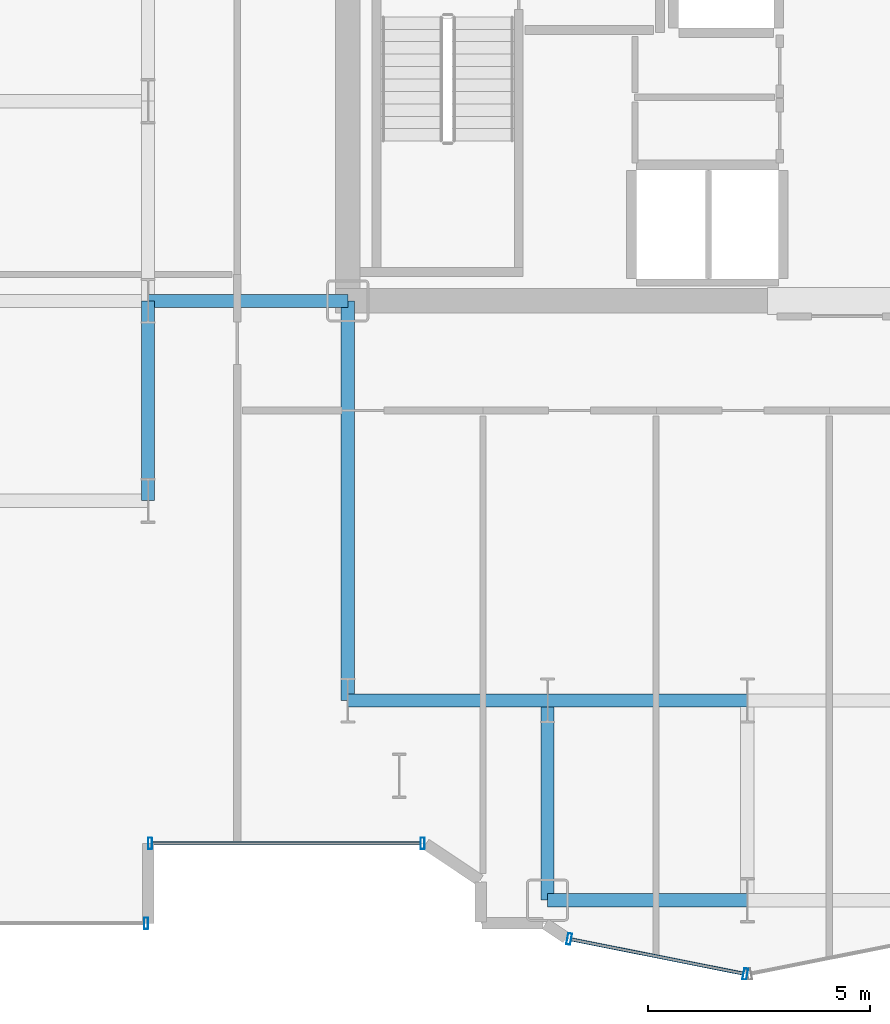
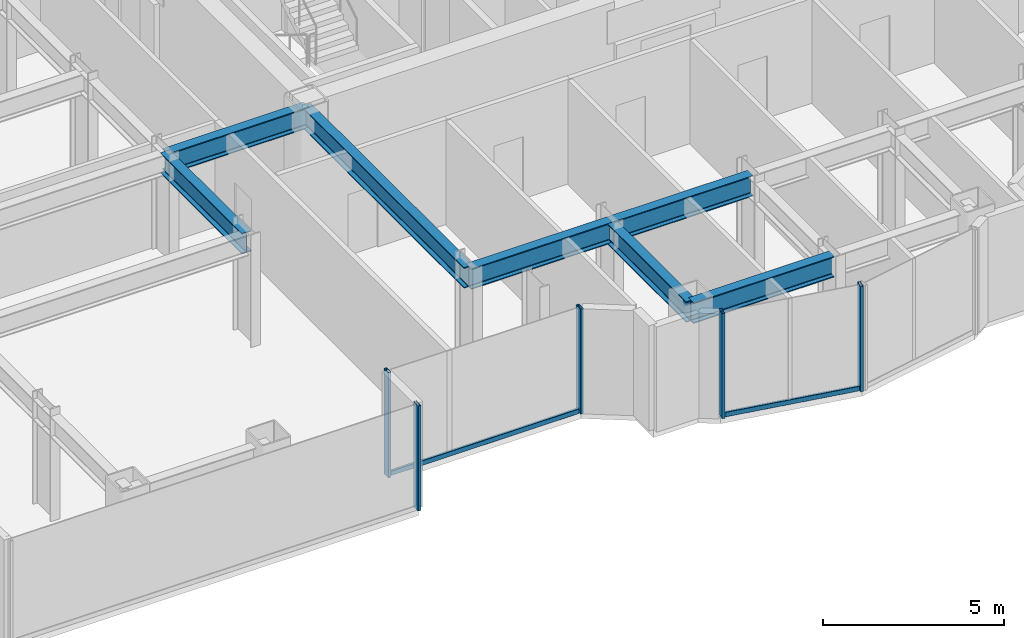
# One storey, part 4 of 26: 7 beams, 7 members, 3 elements without a shape of their own.
"""IFC4 building model written with IfcOpenShell, lengths in metres."""

from ifc_helpers import new_model, si_unit, direction, frame, origin, origin_2d, place, context, subcontext, project, spatial, hollow_rectangle, i_section, extrude, source, transform, mapped, material, layer, layer_set, material_profile, profile_set, type_object, element, aggregate, save


model = new_model("IFC4")

# Units and contexts
model_context = context("Model", 3, precision=1e-05, world=origin(), true_north=direction((0.0, 1.0)))
body_context = subcontext(model_context, "Body", "Model", "MODEL_VIEW")
ifc_project = project(units=[si_unit("LENGTHUNIT", "METRE"), si_unit("AREAUNIT", "SQUARE_METRE"), si_unit("VOLUMEUNIT", "CUBIC_METRE"), si_unit("PLANEANGLEUNIT", "RADIAN"), si_unit("MASSUNIT", "GRAM", prefix="KILO")], contexts=[model_context])

# Site, building, storey
site_placement = place(None, origin())
site = spatial("IfcSite", under=ifc_project, at=site_placement, CompositionType="ELEMENT")
building_placement = place(site_placement, origin())
building = spatial("IfcBuilding", under=site, at=building_placement, Name="Nefas-Gora Pilgrimage Tower", CompositionType="ELEMENT")
storey_placement = place(building_placement, frame((0.0, 0.0, 94.60009765625)))
storey = spatial("IfcBuildingStorey", under=building, at=storey_placement, Name="L22", CompositionType="ELEMENT", Elevation=94.60009765625)

# Beams
ifc_material_1 = material(Name="Steel S355", Category="steel")
ifc_material_profile_1 = material_profile(ifc_material_1, i_section(OverallWidth=0.300048828125, OverallDepth=0.699951171875, WebThickness=0.01708984375, FlangeThickness=0.031982421875, FilletRadius=0.027099609375, at=origin_2d()), Name="HEB 700")
ifc_profile_set_1 = profile_set([ifc_material_profile_1], Name="Steel S355")
beam_type = type_object("IfcBeamType", Name="BM-GIR-HEB700", PredefinedType="BEAM", material=ifc_profile_set_1)
shared_shape_1 = source(origin(), body_context, "Body", "SweptSolid", [
    extrude(i_section(OverallWidth=0.300048828125, OverallDepth=0.699951171875, WebThickness=0.01708984375, FlangeThickness=0.031982421875, FilletRadius=0.027099609375, at=origin_2d()), origin(), (0.0, 0.0, 1.0), 9.0),
])
beam_placement = place(storey_placement, frame((-11.25, -18.0, 3.199951171875), z_axis=(0.0, 1.0, 0.0), x_axis=(-1.0, 0.0, 0.0)))
element("IfcBeam", 1, at=beam_placement, inside=storey, type_object=beam_type, Name="L22 G-02 beam", PredefinedType="BEAM", context=body_context, shape_type="MappedRepresentation", body=[
    mapped(shared_shape_1, transform((0.0, 0.0, 0.0), x_axis=(1.0, 0.0, 0.0), y_axis=(0.0, 1.0, 0.0), z_axis=(0.0, 0.0, 1.0), scale=1.0)),
])
shared_shape_2 = source(origin(), body_context, "Body", "SweptSolid", [
    extrude(i_section(OverallWidth=0.300048828125, OverallDepth=0.699951171875, WebThickness=0.01708984375, FlangeThickness=0.031982421875, FilletRadius=0.027099609375, at=origin_2d()), origin(), (0.0, 0.0, 1.0), 4.5),
])
for number, where, z_axis, x_axis, name in (
    (2, (-15.75, -13.5, 3.199951171875), (0.0, 1.0, 0.0), (-1.0, 0.0, 0.0), "L22 G-02 beam"),
    (3, (-15.75, -9.0, 3.199951171875), (1.0, 0.0, 0.0), (0.0, 1.0, 0.0), "L22 G-02 beam"),
    (4, (-11.25, -18.0, 3.199951171875), (1.0, 0.0, 0.0), (0.0, 1.0, 0.0), "L22 G-02 beam"),
    (5, (-6.75, -22.5, 3.199951171875), (0.0, 1.0, 0.0), (-1.0, 0.0, 0.0), "L22 G-02 beam"),
    (6, (-6.75, -22.5, 3.199951171875), (1.0, 0.0, 0.0), (0.0, 1.0, 0.0), "L22 G-02 beam"),
    (7, (-6.75, -18.0, 3.199951171875), (1.0, 0.0, 0.0), (0.0, 1.0, 0.0), "L22 G-02 beam"),
):
    element("IfcBeam", number, at=place(storey_placement, frame(where, z_axis=z_axis, x_axis=x_axis)), inside=storey, type_object=beam_type, Name=name, PredefinedType="BEAM", context=body_context, shape_type="MappedRepresentation", body=[
        mapped(shared_shape_2, transform((0.0, 0.0, 0.0), x_axis=(1.0, 0.0, 0.0), y_axis=(0.0, 1.0, 0.0), z_axis=(0.0, 0.0, 1.0), scale=1.0)),
    ])

# Curtain wall, member
ifc_material_2 = material(Name="Dark ceramic-fritted solar-control aluminium-glass curtain wall", Category="aluminium")
ifc_layer_1 = layer(ifc_material_2, 0.219970703125)
ifc_layer_set_1 = layer_set([ifc_layer_1], Name="Dark ceramic-fritted solar-control aluminium-glass curtain wall")
curtain_wall_type_1 = type_object("IfcCurtainWallType", Name="CW-SYS-5", PredefinedType="NOTDEFINED", material=ifc_layer_set_1)
curtain_wall_1_placement = place(storey_placement, origin())
curtain_wall_1 = element("IfcCurtainWall", 8, at=curtain_wall_1_placement, inside=storey, type_object=curtain_wall_type_1, Name="L22 Unitised Curtain Wall CW5", PredefinedType="NOTDEFINED")
ifc_material_3 = material(Name="Anodised architectural aluminium", Category="aluminium")
ifc_material_profile_2 = material_profile(ifc_material_3, hollow_rectangle(XDim=0.080078125, YDim=0.159912109375, WallThickness=0.00439453125, InnerFilletRadius=0.00439453125, OuterFilletRadius=0.009033203125, at=origin_2d()), Name="ALU TRANSOM 80x160")
ifc_profile_set_2 = profile_set([ifc_material_profile_2], Name="Anodised architectural aluminium")
member_type_1 = type_object("IfcMemberType", Name="CWM-TRN-5", PredefinedType="USERDEFINED", material=ifc_profile_set_2)
shared_shape_3 = source(origin(), body_context, "Body", "SweptSolid", [
    extrude(hollow_rectangle(XDim=0.080078125, YDim=0.159912109375, WallThickness=0.00439453125, InnerFilletRadius=0.00439453125, OuterFilletRadius=0.009033203125, at=origin_2d()), origin(), (0.0, 0.0, 1.0), 6.052001953125),
])
member_1_placement = place(storey_placement, frame((-15.659912109375, -21.219970703125, 0.0498046875), z_axis=(1.0, 0.0, 0.0), x_axis=(0.0, 1.0, 0.0)))
member_1 = element("IfcMember", 9, at=member_1_placement, type_object=member_type_1, Name="CW5 Spandrel Transom", ObjectType="TRANSOM", PredefinedType="USERDEFINED", context=body_context, shape_type="MappedRepresentation", body=[
    mapped(shared_shape_3, transform((0.0, 0.0, 0.0), x_axis=(1.0, 0.0, 0.0), y_axis=(0.0, 1.0, 0.0), z_axis=(0.0, 0.0, 1.0), scale=1.0)),
])

curtain_wall_2_placement = place(storey_placement, origin())
curtain_wall_2 = element("IfcCurtainWall", 10, at=curtain_wall_2_placement, inside=storey, type_object=curtain_wall_type_1, Name="L22 Unitised Curtain Wall CW5", PredefinedType="NOTDEFINED")
shared_shape_4 = source(origin(), body_context, "Body", "SweptSolid", [
    extrude(hollow_rectangle(XDim=0.080078125, YDim=0.159912109375, WallThickness=0.00439453125, InnerFilletRadius=0.00439453125, OuterFilletRadius=0.009033203125, at=origin_2d()), origin(), (0.0, 0.0, 1.0), 3.95654296875),
])
member_2_placement = place(storey_placement, frame((-6.218994140625, -23.3828125, 0.0498046875), z_axis=(0.980781880918, -0.195107411605, 0.0), x_axis=(0.195107411605, 0.980781880918, 0.0)))
member_2 = element("IfcMember", 11, at=member_2_placement, type_object=member_type_1, Name="CW5 Spandrel Transom", ObjectType="TRANSOM", PredefinedType="USERDEFINED", context=body_context, shape_type="MappedRepresentation", body=[
    mapped(shared_shape_4, transform((0.0, 0.0, 0.0), x_axis=(1.0, 0.0, 0.0), y_axis=(0.0, 1.0, 0.0), z_axis=(0.0, 0.0, 1.0), scale=1.0)),
])

# Member
ifc_material_profile_3 = material_profile(ifc_material_3, hollow_rectangle(XDim=0.090087890625, YDim=0.260009765625, WallThickness=0.006103515625, InnerFilletRadius=0.006103515625, OuterFilletRadius=0.011962890625, at=origin_2d()), Name="ALU MULLION 90x260")
ifc_profile_set_3 = profile_set([ifc_material_profile_3], Name="Anodised architectural aluminium")
member_type_2 = type_object("IfcMemberType", Name="CWM-MUL-5", PredefinedType="MULLION", material=ifc_profile_set_3)
shared_shape_5 = source(origin(), body_context, "Body", "SweptSolid", [
    extrude(hollow_rectangle(XDim=0.090087890625, YDim=0.260009765625, WallThickness=0.006103515625, InnerFilletRadius=0.006103515625, OuterFilletRadius=0.011962890625, at=origin_2d()), origin(), (0.0, 0.0, 1.0), 3.5498046875),
])
member_3_placement = place(storey_placement, frame((-15.705078125, -21.219970703125, 0.0), z_axis=(0.0, 0.0, 1.0), x_axis=(1.0, 0.0, 0.0)))
member_3 = element("IfcMember", 12, at=member_3_placement, type_object=member_type_2, Name="CW5 Mullion 1", PredefinedType="MULLION", context=body_context, shape_type="MappedRepresentation", body=[
    mapped(shared_shape_5, transform((0.0, 0.0, 0.0), x_axis=(1.0, 0.0, 0.0), y_axis=(0.0, 1.0, 0.0), z_axis=(0.0, 0.0, 1.0), scale=1.0)),
])

member_4_placement = place(storey_placement, frame((-9.56298828125, -21.219970703125, 0.0), z_axis=(0.0, 0.0, 1.0), x_axis=(1.0, 0.0, 0.0)))
member_4 = element("IfcMember", 13, at=member_4_placement, type_object=member_type_2, Name="CW5 Mullion 2", PredefinedType="MULLION", context=body_context, shape_type="MappedRepresentation", body=[
    mapped(shared_shape_5, transform((0.0, 0.0, 0.0), x_axis=(1.0, 0.0, 0.0), y_axis=(0.0, 1.0, 0.0), z_axis=(0.0, 0.0, 1.0), scale=1.0)),
])

aggregate(curtain_wall_1, [member_3, member_4, member_1])

member_5_placement = place(storey_placement, frame((-6.26318359375, -23.3740234375, 0.0), z_axis=(0.0, 0.0, 1.0), x_axis=(0.980782896852, -0.195102304554, 0.0)))
member_5 = element("IfcMember", 14, at=member_5_placement, type_object=member_type_2, Name="CW5 Mullion 1", PredefinedType="MULLION", context=body_context, shape_type="MappedRepresentation", body=[
    mapped(shared_shape_5, transform((0.0, 0.0, 0.0), x_axis=(1.0, 0.0, 0.0), y_axis=(0.0, 1.0, 0.0), z_axis=(0.0, 0.0, 1.0), scale=1.0)),
])

member_6_placement = place(storey_placement, frame((-2.294189453125, -24.16357421875, 0.0), z_axis=(0.0, 0.0, 1.0), x_axis=(0.980782896852, -0.195102304554, 0.0)))
member_6 = element("IfcMember", 15, at=member_6_placement, type_object=member_type_2, Name="CW5 Mullion 2", PredefinedType="MULLION", context=body_context, shape_type="MappedRepresentation", body=[
    mapped(shared_shape_5, transform((0.0, 0.0, 0.0), x_axis=(1.0, 0.0, 0.0), y_axis=(0.0, 1.0, 0.0), z_axis=(0.0, 0.0, 1.0), scale=1.0)),
])

aggregate(curtain_wall_2, [member_5, member_6, member_2])

# Curtain wall, member
ifc_layer_2 = layer(ifc_material_2, 0.219970703125)
ifc_layer_set_2 = layer_set([ifc_layer_2], Name="Dark ceramic-fritted solar-control aluminium-glass curtain wall")
curtain_wall_type_2 = type_object("IfcCurtainWallType", Name="CW-SYS-2", PredefinedType="NOTDEFINED", material=ifc_layer_set_2)
curtain_wall_3_placement = place(storey_placement, origin())
curtain_wall_3 = element("IfcCurtainWall", 16, at=curtain_wall_3_placement, inside=storey, type_object=curtain_wall_type_2, Name="L22 Unitised Curtain Wall CW2", PredefinedType="NOTDEFINED")
ifc_material_profile_4 = material_profile(ifc_material_3, hollow_rectangle(XDim=0.090087890625, YDim=0.260009765625, WallThickness=0.006103515625, InnerFilletRadius=0.006103515625, OuterFilletRadius=0.011962890625, at=origin_2d()), Name="ALU MULLION 90x260")
ifc_profile_set_4 = profile_set([ifc_material_profile_4], Name="Anodised architectural aluminium")
member_type_3 = type_object("IfcMemberType", Name="CWM-MUL-2", PredefinedType="MULLION", material=ifc_profile_set_4)
shared_shape_6 = source(origin(), body_context, "Body", "SweptSolid", [
    extrude(hollow_rectangle(XDim=0.090087890625, YDim=0.260009765625, WallThickness=0.006103515625, InnerFilletRadius=0.006103515625, OuterFilletRadius=0.011962890625, at=origin_2d()), origin(), (0.0, 0.0, 1.0), 3.5498046875),
])
member_7_placement = place(storey_placement, frame((-15.794921875, -23.02001953125, 0.0), z_axis=(0.0, 0.0, 1.0), x_axis=(1.0, 0.0, 0.0)))
member_7 = element("IfcMember", 17, at=member_7_placement, type_object=member_type_3, Name="CW2 Mullion 2", PredefinedType="MULLION", context=body_context, shape_type="MappedRepresentation", body=[
    mapped(shared_shape_6, transform((0.0, 0.0, 0.0), x_axis=(1.0, 0.0, 0.0), y_axis=(0.0, 1.0, 0.0), z_axis=(0.0, 0.0, 1.0), scale=1.0)),
])
aggregate(curtain_wall_3, [member_7])

save(model, "model.ifc")
